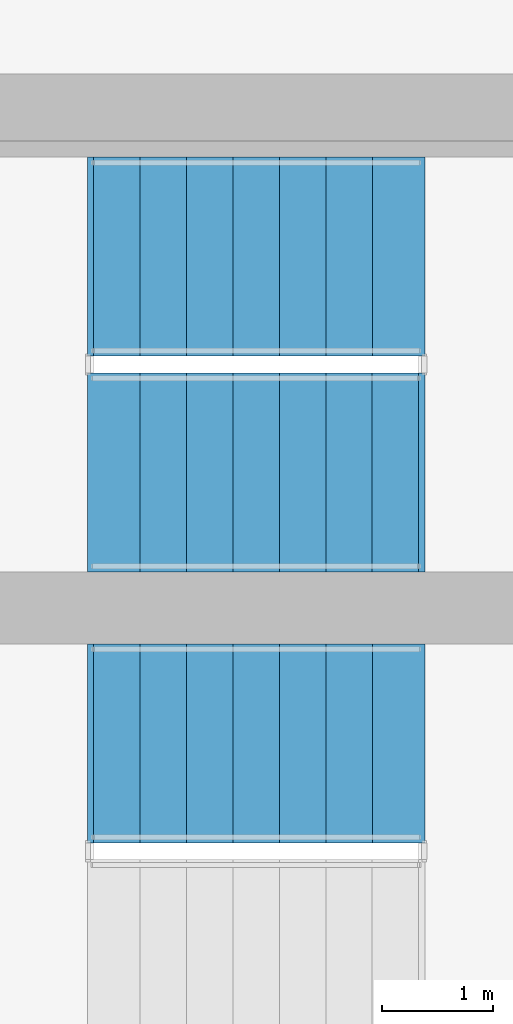
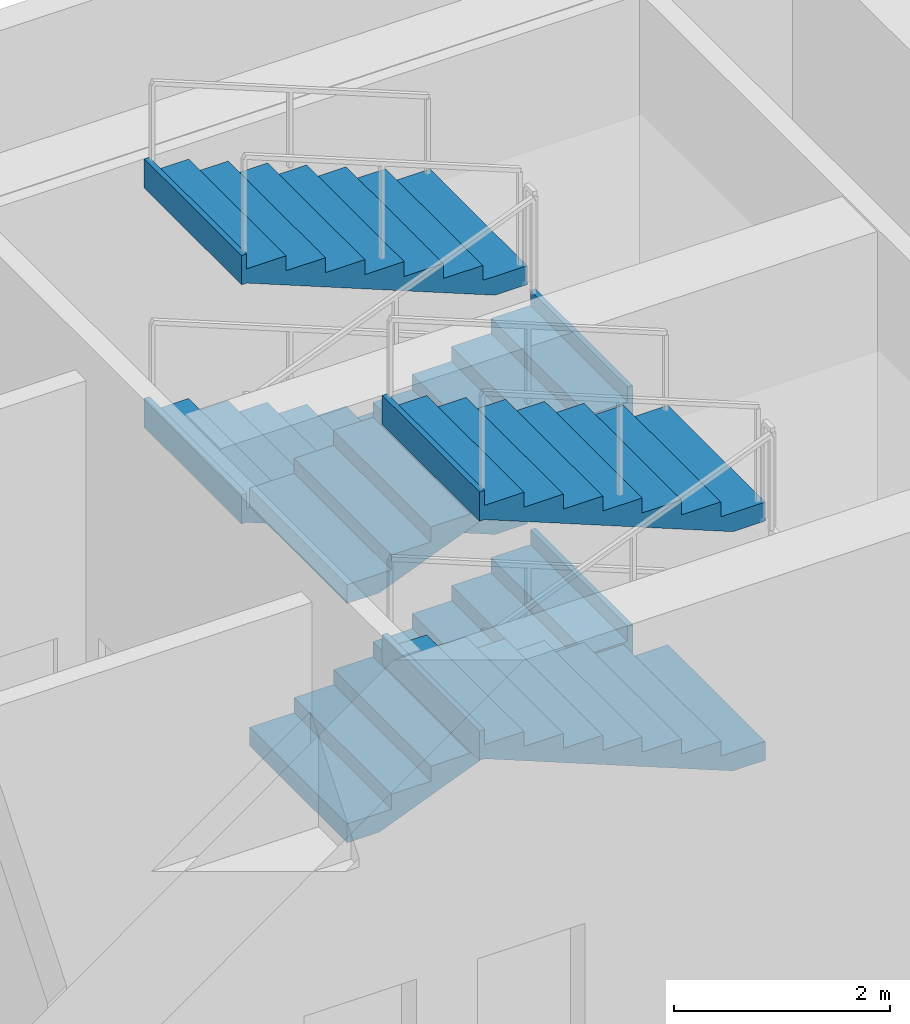
# One storey, part 6 of 9: 6 stair flights, 2 elements without a shape of their own.
"""IFC4 building model written with IfcOpenShell, lengths in metres."""

from ifc_helpers import new_model, si_unit, direction, frame, origin, place, context, subcontext, project, spatial, polyline, outline, extrude, material, type_object, element, aggregate, save


model = new_model("IFC4")

# Units and contexts
model_context = context("Model", 3, precision=1e-05, world=origin(), true_north=direction((0.0, 1.0)))
body_context = subcontext(model_context, "Body", "Model", "MODEL_VIEW")
ifc_project = project(units=[si_unit("LENGTHUNIT", "METRE"), si_unit("AREAUNIT", "SQUARE_METRE"), si_unit("VOLUMEUNIT", "CUBIC_METRE"), si_unit("PLANEANGLEUNIT", "RADIAN"), si_unit("MASSUNIT", "GRAM", prefix="KILO")], contexts=[model_context])

# Site, building, storey
site_placement = place(None, origin())
site = spatial("IfcSite", under=ifc_project, at=site_placement, CompositionType="ELEMENT")
building_placement = place(site_placement, origin())
building = spatial("IfcBuilding", under=site, at=building_placement, Name="Caeloran Harvest Quay", CompositionType="ELEMENT")
storey_placement = place(building_placement, frame((0.0, 0.0, 21.60009765625)))
storey = spatial("IfcBuildingStorey", under=building, at=storey_placement, Name="L05", CompositionType="ELEMENT", Elevation=21.60009765625)

# Stair, stair flights
ifc_material = material(Name="Concrete C50/60", Category="concrete")
stair_type = type_object("IfcStairType", Name="STAIR-STC-180", PredefinedType="HALF_TURN_STAIR", material=ifc_material)
stair_1_placement = place(storey_placement, origin())
stair_1 = element("IfcStair", 1, at=stair_1_placement, inside=storey, type_object=stair_type, Name="L05 Core Pressurized Exit Stair ST-C1", PredefinedType="HALF_TURN_STAIR")
stair_flight_type = type_object("IfcStairFlightType", Name="FLIGHT-STC-180", PredefinedType="STRAIGHT", material=ifc_material)
stair_flight_1_placement = place(storey_placement, frame((15.89990234375, 37.39990234375, 0.0), z_axis=(0.0, 0.0, 1.0), x_axis=(1.0, 0.0, 0.0)))
stair_flight_1 = element("IfcStairFlight", 2, at=stair_flight_1_placement, type_object=stair_flight_type, Name="ST-C1 flight 1", NumberOfRisers=8, NumberOfTreads=7, PredefinedType="STRAIGHT", RiserHeight=0.16875, TreadLength=0.42, context=body_context, shape_type="SweptSolid", body=[
    extrude(outline(polyline([(-0.054931640625, -0.044921875), (-0.054931640625, -0.03173828125), (-0.054931640625, -0.018310546875), (-0.054931640625, -0.0048828125), (-0.054931640625, 0.008544921875), (-0.054931640625, 0.021728515625), (-0.054931640625, 0.03515625), (-0.054931640625, 0.048583984375), (-0.054931640625, 0.061767578125), (-0.054931640625, 0.0751953125), (-0.054931640625, 0.088623046875), (-0.054931640625, 0.10205078125), (-0.054931640625, 0.115234375), (-0.054931640625, 0.128662109375), (-0.054931640625, 0.14208984375), (-0.054931640625, 0.1552734375), (-0.054931640625, 0.168701171875), (0.419921875, 0.168701171875), (0.419921875, 0.33740234375), (0.840087890625, 0.33740234375), (0.840087890625, 0.50634765625), (1.260009765625, 0.50634765625), (1.260009765625, 0.675048828125), (1.679931640625, 0.675048828125), (1.679931640625, 0.84375), (2.10009765625, 0.84375), (2.10009765625, 1.012451171875), (2.52001953125, 1.012451171875), (2.52001953125, 1.18115234375), (2.93994140625, 1.18115234375), (2.93994140625, 1.35009765625), (2.9951171875, 1.35009765625), (2.9951171875, 1.329345703125), (2.9951171875, 1.30859375), (2.9951171875, 1.2880859375), (2.9951171875, 1.267333984375), (2.9951171875, 1.246826171875), (2.9951171875, 1.22607421875), (2.9951171875, 1.20556640625), (2.9951171875, 1.184814453125), (2.9951171875, 1.164306640625), (2.9951171875, 1.1435546875), (2.9951171875, 1.122802734375), (2.9951171875, 1.102294921875), (2.9951171875, 1.08154296875), (2.9951171875, 1.06103515625), (2.9951171875, 1.040283203125), (2.9951171875, 1.019775390625), (2.93994140625, 1.019775390625), (0.2900390625, -0.044921875), (-0.054931640625, -0.044921875)])), frame((0.0, 0.89990234375, 0.0), z_axis=(0.0, -1.0, 0.0), x_axis=(1.0, 0.0, 0.0)), (0.0, 0.0, 1.0), 1.800048828125),
])
stair_flight_2_placement = place(storey_placement, frame((18.840087890625, 39.35009765625, 1.349853515625), z_axis=(0.0, 0.0, 1.0), x_axis=(-1.0, 0.0, 0.0)))
stair_flight_2 = element("IfcStairFlight", 3, at=stair_flight_2_placement, type_object=stair_flight_type, Name="ST-C1 flight 2", NumberOfRisers=8, NumberOfTreads=7, PredefinedType="STRAIGHT", RiserHeight=0.16875, TreadLength=0.42, context=body_context, shape_type="SweptSolid", body=[
    extrude(outline(polyline([(-0.054931640625, -0.044921875), (-0.054931640625, -0.03173828125), (-0.054931640625, -0.018310546875), (-0.054931640625, -0.0048828125), (-0.054931640625, 0.008544921875), (-0.054931640625, 0.021728515625), (-0.054931640625, 0.03515625), (-0.054931640625, 0.048583984375), (-0.054931640625, 0.061767578125), (-0.054931640625, 0.0751953125), (-0.054931640625, 0.088623046875), (-0.054931640625, 0.10205078125), (-0.054931640625, 0.115234375), (-0.054931640625, 0.128662109375), (-0.054931640625, 0.14208984375), (-0.054931640625, 0.1552734375), (-0.054931640625, 0.168701171875), (0.419921875, 0.168701171875), (0.419921875, 0.33740234375), (0.840087890625, 0.33740234375), (0.840087890625, 0.50634765625), (1.260009765625, 0.50634765625), (1.260009765625, 0.675048828125), (1.679931640625, 0.675048828125), (1.679931640625, 0.84375), (2.10009765625, 0.84375), (2.10009765625, 1.012451171875), (2.52001953125, 1.012451171875), (2.52001953125, 1.18115234375), (2.93994140625, 1.18115234375), (2.93994140625, 1.35009765625), (2.9951171875, 1.35009765625), (2.9951171875, 1.329345703125), (2.9951171875, 1.30859375), (2.9951171875, 1.2880859375), (2.9951171875, 1.267333984375), (2.9951171875, 1.246826171875), (2.9951171875, 1.22607421875), (2.9951171875, 1.20556640625), (2.9951171875, 1.184814453125), (2.9951171875, 1.164306640625), (2.9951171875, 1.1435546875), (2.9951171875, 1.122802734375), (2.9951171875, 1.102294921875), (2.9951171875, 1.08154296875), (2.9951171875, 1.06103515625), (2.9951171875, 1.040283203125), (2.9951171875, 1.019775390625), (2.93994140625, 1.019775390625), (0.2900390625, -0.044921875), (-0.054931640625, -0.044921875)])), frame((0.0, 0.89990234375, 0.0), z_axis=(0.0, -1.0, 0.0), x_axis=(1.0, 0.0, 0.0)), (0.0, 0.0, 1.0), 1.800048828125),
])
stair_flight_3_placement = place(storey_placement, frame((15.89990234375, 37.39990234375, 2.699951171875), z_axis=(0.0, 0.0, 1.0), x_axis=(1.0, 0.0, 0.0)))
stair_flight_3 = element("IfcStairFlight", 4, at=stair_flight_3_placement, type_object=stair_flight_type, Name="ST-C1 flight 3", NumberOfRisers=8, NumberOfTreads=7, PredefinedType="STRAIGHT", RiserHeight=0.16875, TreadLength=0.42, context=body_context, shape_type="SweptSolid", body=[
    extrude(outline(polyline([(-0.054931640625, -0.044921875), (-0.054931640625, -0.03173828125), (-0.054931640625, -0.018310546875), (-0.054931640625, -0.0048828125), (-0.054931640625, 0.008544921875), (-0.054931640625, 0.021728515625), (-0.054931640625, 0.03515625), (-0.054931640625, 0.048583984375), (-0.054931640625, 0.061767578125), (-0.054931640625, 0.0751953125), (-0.054931640625, 0.088623046875), (-0.054931640625, 0.10205078125), (-0.054931640625, 0.115234375), (-0.054931640625, 0.128662109375), (-0.054931640625, 0.14208984375), (-0.054931640625, 0.1552734375), (-0.054931640625, 0.168701171875), (0.419921875, 0.168701171875), (0.419921875, 0.33740234375), (0.840087890625, 0.33740234375), (0.840087890625, 0.50634765625), (1.260009765625, 0.50634765625), (1.260009765625, 0.675048828125), (1.679931640625, 0.675048828125), (1.679931640625, 0.84375), (2.10009765625, 0.84375), (2.10009765625, 1.012451171875), (2.52001953125, 1.012451171875), (2.52001953125, 1.18115234375), (2.93994140625, 1.18115234375), (2.93994140625, 1.35009765625), (2.9951171875, 1.35009765625), (2.9951171875, 1.329345703125), (2.9951171875, 1.30859375), (2.9951171875, 1.2880859375), (2.9951171875, 1.267333984375), (2.9951171875, 1.246826171875), (2.9951171875, 1.22607421875), (2.9951171875, 1.20556640625), (2.9951171875, 1.184814453125), (2.9951171875, 1.164306640625), (2.9951171875, 1.1435546875), (2.9951171875, 1.122802734375), (2.9951171875, 1.102294921875), (2.9951171875, 1.08154296875), (2.9951171875, 1.06103515625), (2.9951171875, 1.040283203125), (2.9951171875, 1.019775390625), (2.93994140625, 1.019775390625), (0.2900390625, -0.044921875), (-0.054931640625, -0.044921875)])), frame((0.0, 0.89990234375, 0.0), z_axis=(0.0, -1.0, 0.0), x_axis=(1.0, 0.0, 0.0)), (0.0, 0.0, 1.0), 1.800048828125),
])
stair_flight_4_placement = place(storey_placement, frame((18.840087890625, 39.35009765625, 4.0498046875), z_axis=(0.0, 0.0, 1.0), x_axis=(-1.0, 0.0, 0.0)))
stair_flight_4 = element("IfcStairFlight", 5, at=stair_flight_4_placement, type_object=stair_flight_type, Name="ST-C1 flight 4", NumberOfRisers=8, NumberOfTreads=7, PredefinedType="STRAIGHT", RiserHeight=0.16875, TreadLength=0.42, context=body_context, shape_type="SweptSolid", body=[
    extrude(outline(polyline([(-0.054931640625, -0.044921875), (-0.054931640625, -0.03173828125), (-0.054931640625, -0.018310546875), (-0.054931640625, -0.0048828125), (-0.054931640625, 0.008544921875), (-0.054931640625, 0.021728515625), (-0.054931640625, 0.03515625), (-0.054931640625, 0.048583984375), (-0.054931640625, 0.061767578125), (-0.054931640625, 0.0751953125), (-0.054931640625, 0.088623046875), (-0.054931640625, 0.10205078125), (-0.054931640625, 0.115234375), (-0.054931640625, 0.128662109375), (-0.054931640625, 0.14208984375), (-0.054931640625, 0.1552734375), (-0.054931640625, 0.168701171875), (0.419921875, 0.168701171875), (0.419921875, 0.33740234375), (0.840087890625, 0.33740234375), (0.840087890625, 0.50634765625), (1.260009765625, 0.50634765625), (1.260009765625, 0.675048828125), (1.679931640625, 0.675048828125), (1.679931640625, 0.84375), (2.10009765625, 0.84375), (2.10009765625, 1.012451171875), (2.52001953125, 1.012451171875), (2.52001953125, 1.18115234375), (2.93994140625, 1.18115234375), (2.93994140625, 1.35009765625), (2.9951171875, 1.35009765625), (2.9951171875, 1.329345703125), (2.9951171875, 1.30859375), (2.9951171875, 1.2880859375), (2.9951171875, 1.267333984375), (2.9951171875, 1.246826171875), (2.9951171875, 1.22607421875), (2.9951171875, 1.20556640625), (2.9951171875, 1.184814453125), (2.9951171875, 1.164306640625), (2.9951171875, 1.1435546875), (2.9951171875, 1.122802734375), (2.9951171875, 1.102294921875), (2.9951171875, 1.08154296875), (2.9951171875, 1.06103515625), (2.9951171875, 1.040283203125), (2.9951171875, 1.019775390625), (2.93994140625, 1.019775390625), (0.2900390625, -0.044921875), (-0.054931640625, -0.044921875)])), frame((0.0, 0.89990234375, 0.0), z_axis=(0.0, -1.0, 0.0), x_axis=(1.0, 0.0, 0.0)), (0.0, 0.0, 1.0), 1.800048828125),
])
aggregate(stair_1, [stair_flight_1, stair_flight_2, stair_flight_3, stair_flight_4])

stair_2_placement = place(storey_placement, origin())
stair_2 = element("IfcStair", 6, at=stair_2_placement, inside=storey, type_object=stair_type, Name="L05 Core Pressurized Exit Stair ST-C2", PredefinedType="HALF_TURN_STAIR")
stair_flight_5_placement = place(storey_placement, frame((18.840087890625, 34.949951171875, 1.349853515625), z_axis=(0.0, 0.0, 1.0), x_axis=(-1.0, 0.0, 0.0)))
stair_flight_5 = element("IfcStairFlight", 7, at=stair_flight_5_placement, type_object=stair_flight_type, Name="ST-C2 flight 2", NumberOfRisers=8, NumberOfTreads=7, PredefinedType="STRAIGHT", RiserHeight=0.16875, TreadLength=0.42, context=body_context, shape_type="SweptSolid", body=[
    extrude(outline(polyline([(-0.054931640625, -0.044921875), (-0.054931640625, -0.03173828125), (-0.054931640625, -0.018310546875), (-0.054931640625, -0.0048828125), (-0.054931640625, 0.008544921875), (-0.054931640625, 0.021728515625), (-0.054931640625, 0.03515625), (-0.054931640625, 0.048583984375), (-0.054931640625, 0.061767578125), (-0.054931640625, 0.0751953125), (-0.054931640625, 0.088623046875), (-0.054931640625, 0.10205078125), (-0.054931640625, 0.115234375), (-0.054931640625, 0.128662109375), (-0.054931640625, 0.14208984375), (-0.054931640625, 0.1552734375), (-0.054931640625, 0.168701171875), (0.419921875, 0.168701171875), (0.419921875, 0.33740234375), (0.840087890625, 0.33740234375), (0.840087890625, 0.50634765625), (1.260009765625, 0.50634765625), (1.260009765625, 0.675048828125), (1.679931640625, 0.675048828125), (1.679931640625, 0.84375), (2.10009765625, 0.84375), (2.10009765625, 1.012451171875), (2.52001953125, 1.012451171875), (2.52001953125, 1.18115234375), (2.93994140625, 1.18115234375), (2.93994140625, 1.35009765625), (2.9951171875, 1.35009765625), (2.9951171875, 1.329345703125), (2.9951171875, 1.30859375), (2.9951171875, 1.2880859375), (2.9951171875, 1.267333984375), (2.9951171875, 1.246826171875), (2.9951171875, 1.22607421875), (2.9951171875, 1.20556640625), (2.9951171875, 1.184814453125), (2.9951171875, 1.164306640625), (2.9951171875, 1.1435546875), (2.9951171875, 1.122802734375), (2.9951171875, 1.102294921875), (2.9951171875, 1.08154296875), (2.9951171875, 1.06103515625), (2.9951171875, 1.040283203125), (2.9951171875, 1.019775390625), (2.93994140625, 1.019775390625), (0.2900390625, -0.044921875), (-0.054931640625, -0.044921875)])), frame((0.0, 0.89990234375, 0.0), z_axis=(0.0, -1.0, 0.0), x_axis=(1.0, 0.0, 0.0)), (0.0, 0.0, 1.0), 1.800048828125),
])
stair_flight_6_placement = place(storey_placement, frame((18.840087890625, 34.949951171875, 4.0498046875), z_axis=(0.0, 0.0, 1.0), x_axis=(-1.0, 0.0, 0.0)))
stair_flight_6 = element("IfcStairFlight", 8, at=stair_flight_6_placement, type_object=stair_flight_type, Name="ST-C2 flight 4", NumberOfRisers=8, NumberOfTreads=7, PredefinedType="STRAIGHT", RiserHeight=0.16875, TreadLength=0.42, context=body_context, shape_type="SweptSolid", body=[
    extrude(outline(polyline([(-0.054931640625, -0.044921875), (-0.054931640625, -0.03173828125), (-0.054931640625, -0.018310546875), (-0.054931640625, -0.0048828125), (-0.054931640625, 0.008544921875), (-0.054931640625, 0.021728515625), (-0.054931640625, 0.03515625), (-0.054931640625, 0.048583984375), (-0.054931640625, 0.061767578125), (-0.054931640625, 0.0751953125), (-0.054931640625, 0.088623046875), (-0.054931640625, 0.10205078125), (-0.054931640625, 0.115234375), (-0.054931640625, 0.128662109375), (-0.054931640625, 0.14208984375), (-0.054931640625, 0.1552734375), (-0.054931640625, 0.168701171875), (0.419921875, 0.168701171875), (0.419921875, 0.33740234375), (0.840087890625, 0.33740234375), (0.840087890625, 0.50634765625), (1.260009765625, 0.50634765625), (1.260009765625, 0.675048828125), (1.679931640625, 0.675048828125), (1.679931640625, 0.84375), (2.10009765625, 0.84375), (2.10009765625, 1.012451171875), (2.52001953125, 1.012451171875), (2.52001953125, 1.18115234375), (2.93994140625, 1.18115234375), (2.93994140625, 1.35009765625), (2.9951171875, 1.35009765625), (2.9951171875, 1.329345703125), (2.9951171875, 1.30859375), (2.9951171875, 1.2880859375), (2.9951171875, 1.267333984375), (2.9951171875, 1.246826171875), (2.9951171875, 1.22607421875), (2.9951171875, 1.20556640625), (2.9951171875, 1.184814453125), (2.9951171875, 1.164306640625), (2.9951171875, 1.1435546875), (2.9951171875, 1.122802734375), (2.9951171875, 1.102294921875), (2.9951171875, 1.08154296875), (2.9951171875, 1.06103515625), (2.9951171875, 1.040283203125), (2.9951171875, 1.019775390625), (2.93994140625, 1.019775390625), (0.2900390625, -0.044921875), (-0.054931640625, -0.044921875)])), frame((0.0, 0.89990234375, 0.0), z_axis=(0.0, -1.0, 0.0), x_axis=(1.0, 0.0, 0.0)), (0.0, 0.0, 1.0), 1.800048828125),
])
aggregate(stair_2, [stair_flight_5, stair_flight_6])

save(model, "model.ifc")
